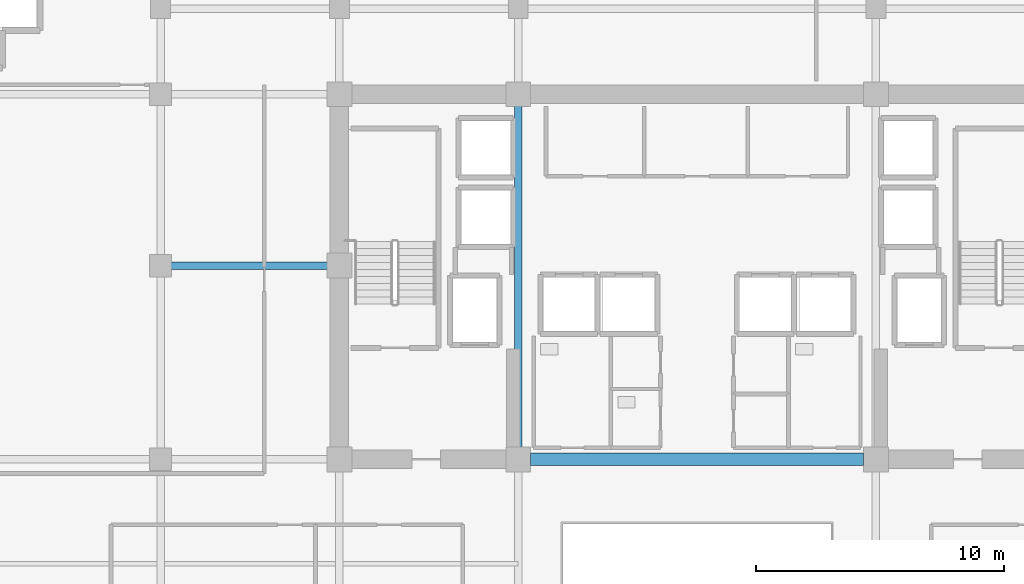
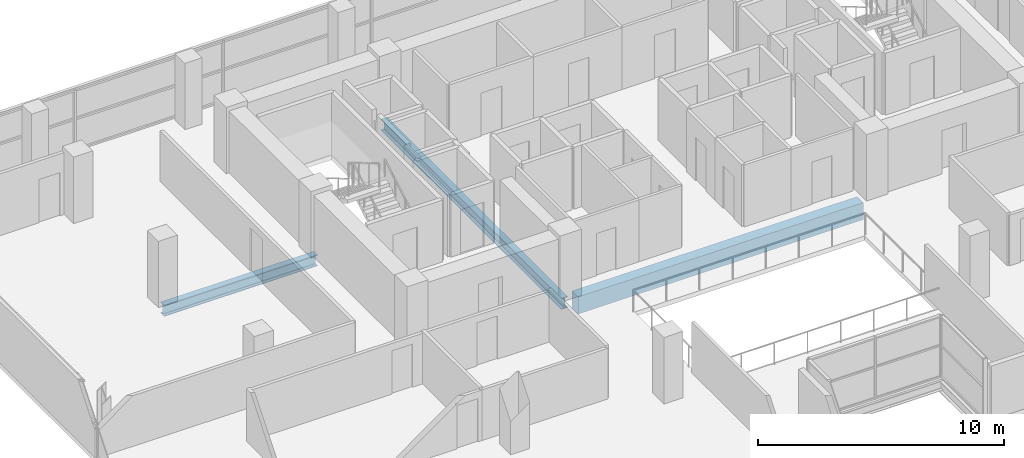
# One storey, part 10 of 25: 3 beams.
"""IFC4 building model written with IfcOpenShell, lengths in metres."""

from ifc_helpers import new_model, si_unit, direction, frame, origin, origin_2d, place, context, subcontext, project, spatial, rectangle, i_section, extrude, material, material_profile, profile_set, type_object, element, save


model = new_model("IFC4")

# Units and contexts
model_context = context("Model", 3, precision=1e-05, world=origin(), true_north=direction((0.0, 1.0)))
body_context = subcontext(model_context, "Body", "Model", "MODEL_VIEW")
ifc_project = project(units=[si_unit("LENGTHUNIT", "METRE"), si_unit("AREAUNIT", "SQUARE_METRE"), si_unit("VOLUMEUNIT", "CUBIC_METRE"), si_unit("PLANEANGLEUNIT", "RADIAN"), si_unit("MASSUNIT", "GRAM", prefix="KILO")], contexts=[model_context])

# Site, building, storey
site_placement = place(None, origin())
site = spatial("IfcSite", under=ifc_project, at=site_placement, CompositionType="ELEMENT")
building_placement = place(site_placement, origin())
building = spatial("IfcBuilding", under=site, at=building_placement, Name="Zarnakvel Exchange Tower", CompositionType="ELEMENT")
storey_placement = place(building_placement, frame((0.0, 0.0, 93.39990234375)))
storey = spatial("IfcBuildingStorey", under=building, at=storey_placement, Name="L25", CompositionType="ELEMENT", Elevation=93.39990234375)

# Beams
ifc_material_1 = material(Name="Concrete C60/75", Category="concrete")
ifc_material_profile_1 = material_profile(ifc_material_1, rectangle(XDim=0.5, YDim=0.85009765625, at=origin_2d()))
ifc_profile_set_1 = profile_set([ifc_material_profile_1], Name="Concrete C60/75")
beam_type_1 = type_object("IfcBeamType", Name="CB-02", PredefinedType="LINTEL", material=ifc_profile_set_1)
beam_1_placement = place(storey_placement, frame((-6.699951171875, -1.199951171875, -0.64990234375), z_axis=(1.0, 0.0, 0.0), x_axis=(0.0, 1.0, 0.0)))
element("IfcBeam", 1, at=beam_1_placement, inside=storey, type_object=beam_type_1, Name="L25 Rear Core South Coupling Beam (CB-02)", PredefinedType="LINTEL", context=body_context, shape_type="SweptSolid", body=[
    extrude(rectangle(XDim=0.5, YDim=0.85009765625, at=origin_2d()), origin(), (0.0, 0.0, 1.0), 13.39990234375),
])
ifc_material_2 = material(Name="Steel S355", Category="steel")
ifc_material_profile_2 = material_profile(ifc_material_2, i_section(OverallWidth=0.300048828125, OverallDepth=0.550048828125, WebThickness=0.014892578125, FlangeThickness=0.029052734375, FilletRadius=0.027099609375, at=origin_2d()))
ifc_profile_set_2 = profile_set([ifc_material_profile_2], Name="Steel S355")
beam_type_2 = type_object("IfcBeamType", Name="G-05", PredefinedType="BEAM", material=ifc_profile_set_2)
beam_2_placement = place(storey_placement, frame((-21.60009765625, 6.60009765625, -0.5), z_axis=(1.0, 0.0, 0.0), x_axis=(0.0, 1.0, 0.0)))
element("IfcBeam", 2, at=beam_2_placement, inside=storey, type_object=beam_type_2, Name="L25 Tower E-W Frame Beam", PredefinedType="BEAM", context=body_context, shape_type="SweptSolid", body=[
    extrude(i_section(OverallWidth=0.300048828125, OverallDepth=0.550048828125, WebThickness=0.014892578125, FlangeThickness=0.029052734375, FilletRadius=0.027099609375, at=origin_2d()), origin(), (0.0, 0.0, 1.0), 7.2001953125),
])
beam_3_placement = place(storey_placement, frame((-7.199951171875, -1.199951171875, -0.5), z_axis=(0.0, 1.0, 0.0), x_axis=(-1.0, 0.0, 0.0)))
element("IfcBeam", 3, at=beam_3_placement, inside=storey, type_object=beam_type_2, Name="L25 Tower N-S Frame Beam", PredefinedType="BEAM", context=body_context, shape_type="SweptSolid", body=[
    extrude(i_section(OverallWidth=0.300048828125, OverallDepth=0.550048828125, WebThickness=0.014892578125, FlangeThickness=0.029052734375, FilletRadius=0.027099609375, at=origin_2d()), origin(), (0.0, 0.0, 1.0), 14.699951171875),
])

save(model, "model.ifc")
